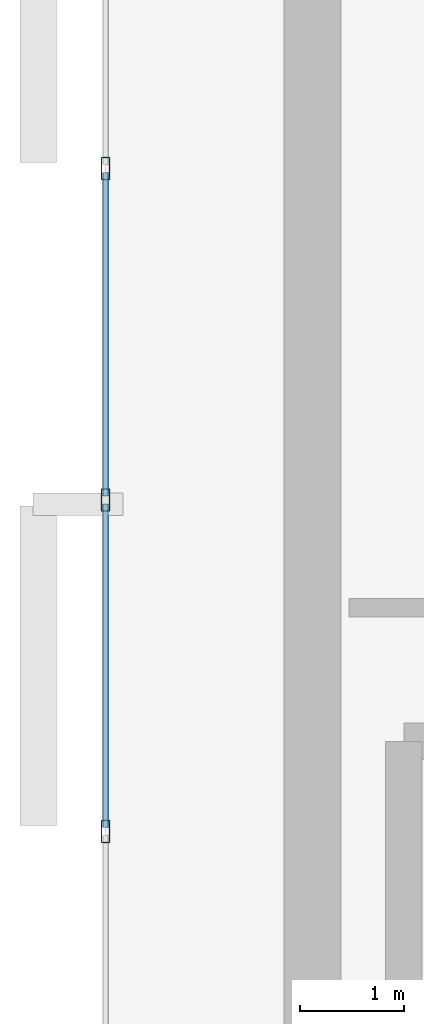
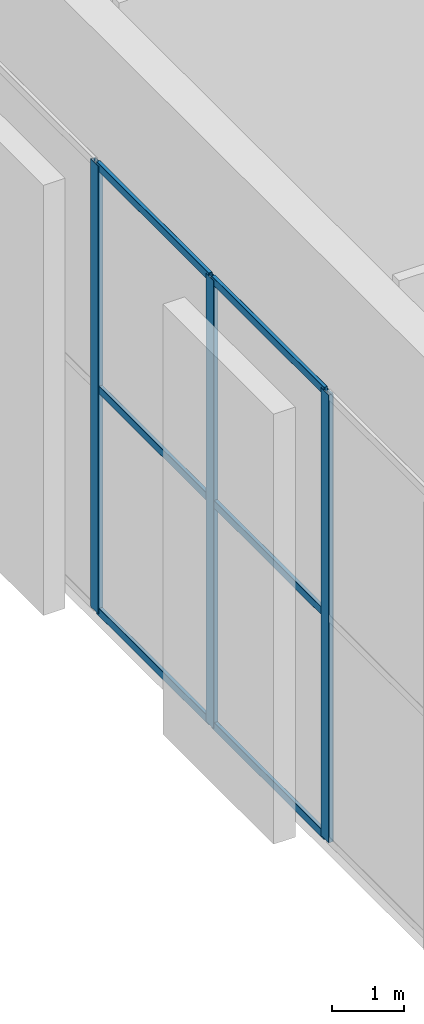
# One storey, part 3 of 22: 9 members, 1 element without a shape of its own.
"""IFC4 building model written with IfcOpenShell, lengths in metres."""

from ifc_helpers import new_model, si_unit, direction, frame, origin, origin_2d, place, context, subcontext, project, spatial, hollow_rectangle, extrude, material, layer, layer_set, material_profile, profile_set, type_object, element, aggregate, save


model = new_model("IFC4")

# Units and contexts
model_context = context("Model", 3, precision=1e-05, world=origin(), true_north=direction((0.0, 1.0)))
body_context = subcontext(model_context, "Body", "Model", "MODEL_VIEW")
ifc_project = project(units=[si_unit("LENGTHUNIT", "METRE"), si_unit("AREAUNIT", "SQUARE_METRE"), si_unit("VOLUMEUNIT", "CUBIC_METRE"), si_unit("PLANEANGLEUNIT", "RADIAN"), si_unit("MASSUNIT", "GRAM", prefix="KILO")], contexts=[model_context])

# Site, building, storey
site_placement = place(None, origin())
site = spatial("IfcSite", under=ifc_project, at=site_placement, CompositionType="ELEMENT")
building_placement = place(site_placement, origin())
building = spatial("IfcBuilding", under=site, at=building_placement, Name="An Khanh Terracotta Commons", CompositionType="ELEMENT")
storey_placement = place(building_placement, frame((0.0, 0.0, 300.39990234375)))
storey = spatial("IfcBuildingStorey", under=building, at=storey_placement, Name="L78 Crown Damper Chamber", CompositionType="ELEMENT", Elevation=300.39990234375)

# Curtain wall, members
ifc_material = material(Name="Anodised Aluminium 6063-T6", Category="aluminium")
ifc_layer = layer(ifc_material, 0.25, Name="Anodised Aluminium 6063-T6")
ifc_layer_set = layer_set([ifc_layer], Name="Anodised Aluminium 6063-T6")
curtain_wall_type = type_object("IfcCurtainWallType", Name="CW-SYS-05", PredefinedType="USERDEFINED", material=ifc_layer_set)
curtain_wall_placement = place(storey_placement, origin())
curtain_wall = element("IfcCurtainWall", 1, at=curtain_wall_placement, inside=storey, type_object=curtain_wall_type, Name="L78 Crown Damper Chamber CW-05 Unitised Curtain Wall CW-L78-24", ObjectType="UNITISED CURTAIN WALL", PredefinedType="USERDEFINED")
ifc_material_profile_1 = material_profile(ifc_material, hollow_rectangle(XDim=0.080078125, YDim=0.219970703125, WallThickness=0.0048828125, InnerFilletRadius=0.0048828125, OuterFilletRadius=0.010009765625, at=origin_2d()), Name="RHS220x80x5")
ifc_profile_set_1 = profile_set([ifc_material_profile_1], Name="Anodised Aluminium 6063-T6")
member_type_1 = type_object("IfcMemberType", Name="CWM-RHS220x80x5", PredefinedType="MULLION", material=ifc_profile_set_1)
member_1_placement = place(storey_placement, frame((19.60009765625, 24.0, 0.0), z_axis=(0.0, 0.0, 1.0), x_axis=(1.0, 0.0, 0.0)))
member_1 = element("IfcMember", 2, at=member_1_placement, type_object=member_type_1, Name="CW-05 mullion 4", PredefinedType="MULLION", context=body_context, shape_type="SweptSolid", body=[
    extrude(hollow_rectangle(XDim=0.080078125, YDim=0.219970703125, WallThickness=0.0048828125, InnerFilletRadius=0.0048828125, OuterFilletRadius=0.010009765625, at=origin_2d()), origin(), (0.0, 0.0, 1.0), 7.60009765625),
])
member_2_placement = place(storey_placement, frame((19.60009765625, 20.800048828125, 0.0), z_axis=(0.0, 0.0, 1.0), x_axis=(1.0, 0.0, 0.0)))
member_2 = element("IfcMember", 3, at=member_2_placement, type_object=member_type_1, Name="CW-05 mullion 5", PredefinedType="MULLION", context=body_context, shape_type="SweptSolid", body=[
    extrude(hollow_rectangle(XDim=0.080078125, YDim=0.219970703125, WallThickness=0.0048828125, InnerFilletRadius=0.0048828125, OuterFilletRadius=0.010009765625, at=origin_2d()), origin(), (0.0, 0.0, 1.0), 7.60009765625),
])
member_3_placement = place(storey_placement, frame((19.60009765625, 17.60009765625, 0.0), z_axis=(0.0, 0.0, 1.0), x_axis=(1.0, 0.0, 0.0)))
member_3 = element("IfcMember", 4, at=member_3_placement, type_object=member_type_1, Name="CW-05 mullion 6", PredefinedType="MULLION", context=body_context, shape_type="SweptSolid", body=[
    extrude(hollow_rectangle(XDim=0.080078125, YDim=0.219970703125, WallThickness=0.0048828125, InnerFilletRadius=0.0048828125, OuterFilletRadius=0.010009765625, at=origin_2d()), origin(), (0.0, 0.0, 1.0), 7.60009765625),
])
ifc_material_profile_2 = material_profile(ifc_material, hollow_rectangle(XDim=0.06005859375, YDim=0.135009765625, WallThickness=0.003662109375, InnerFilletRadius=0.003662109375, OuterFilletRadius=0.007080078125, at=origin_2d()), Name="RHS135x60x3.6")
ifc_profile_set_2 = profile_set([ifc_material_profile_2], Name="Anodised Aluminium 6063-T6")
member_type_2 = type_object("IfcMemberType", Name="CWT-RHS135x60x3.6", PredefinedType="USERDEFINED", material=ifc_profile_set_2)
member_4_placement = place(storey_placement, frame((19.60009765625, 23.9599609375, 0.030029296875), z_axis=(0.0, -1.0, 0.0), x_axis=(1.0, 0.0, 0.0)))
member_4 = element("IfcMember", 5, at=member_4_placement, type_object=member_type_2, Name="CW-05 transom 4.1", ObjectType="TRANSOM", PredefinedType="USERDEFINED", context=body_context, shape_type="SweptSolid", body=[
    extrude(hollow_rectangle(XDim=0.06005859375, YDim=0.135009765625, WallThickness=0.003662109375, InnerFilletRadius=0.003662109375, OuterFilletRadius=0.007080078125, at=origin_2d()), origin(), (0.0, 0.0, 1.0), 3.119873046875),
])
member_5_placement = place(storey_placement, frame((19.60009765625, 23.9599609375, 3.800048828125), z_axis=(0.0, -1.0, 0.0), x_axis=(1.0, 0.0, 0.0)))
member_5 = element("IfcMember", 6, at=member_5_placement, type_object=member_type_2, Name="CW-05 transom 4.2", ObjectType="TRANSOM", PredefinedType="USERDEFINED", context=body_context, shape_type="SweptSolid", body=[
    extrude(hollow_rectangle(XDim=0.06005859375, YDim=0.135009765625, WallThickness=0.003662109375, InnerFilletRadius=0.003662109375, OuterFilletRadius=0.007080078125, at=origin_2d()), origin(), (0.0, 0.0, 1.0), 3.119873046875),
])
member_6_placement = place(storey_placement, frame((19.60009765625, 23.9599609375, 7.570068359375), z_axis=(0.0, -1.0, 0.0), x_axis=(1.0, 0.0, 0.0)))
member_6 = element("IfcMember", 7, at=member_6_placement, type_object=member_type_2, Name="CW-05 transom 4.3", ObjectType="TRANSOM", PredefinedType="USERDEFINED", context=body_context, shape_type="SweptSolid", body=[
    extrude(hollow_rectangle(XDim=0.06005859375, YDim=0.135009765625, WallThickness=0.003662109375, InnerFilletRadius=0.003662109375, OuterFilletRadius=0.007080078125, at=origin_2d()), origin(), (0.0, 0.0, 1.0), 3.119873046875),
])
member_7_placement = place(storey_placement, frame((19.60009765625, 20.760009765625, 0.030029296875), z_axis=(0.0, -1.0, 0.0), x_axis=(1.0, 0.0, 0.0)))
member_7 = element("IfcMember", 8, at=member_7_placement, type_object=member_type_2, Name="CW-05 transom 5.1", ObjectType="TRANSOM", PredefinedType="USERDEFINED", context=body_context, shape_type="SweptSolid", body=[
    extrude(hollow_rectangle(XDim=0.06005859375, YDim=0.135009765625, WallThickness=0.003662109375, InnerFilletRadius=0.003662109375, OuterFilletRadius=0.007080078125, at=origin_2d()), origin(), (0.0, 0.0, 1.0), 3.1201171875),
])
member_8_placement = place(storey_placement, frame((19.60009765625, 20.760009765625, 3.800048828125), z_axis=(0.0, -1.0, 0.0), x_axis=(1.0, 0.0, 0.0)))
member_8 = element("IfcMember", 9, at=member_8_placement, type_object=member_type_2, Name="CW-05 transom 5.2", ObjectType="TRANSOM", PredefinedType="USERDEFINED", context=body_context, shape_type="SweptSolid", body=[
    extrude(hollow_rectangle(XDim=0.06005859375, YDim=0.135009765625, WallThickness=0.003662109375, InnerFilletRadius=0.003662109375, OuterFilletRadius=0.007080078125, at=origin_2d()), origin(), (0.0, 0.0, 1.0), 3.1201171875),
])
member_9_placement = place(storey_placement, frame((19.60009765625, 20.760009765625, 7.570068359375), z_axis=(0.0, -1.0, 0.0), x_axis=(1.0, 0.0, 0.0)))
member_9 = element("IfcMember", 10, at=member_9_placement, type_object=member_type_2, Name="CW-05 transom 5.3", ObjectType="TRANSOM", PredefinedType="USERDEFINED", context=body_context, shape_type="SweptSolid", body=[
    extrude(hollow_rectangle(XDim=0.06005859375, YDim=0.135009765625, WallThickness=0.003662109375, InnerFilletRadius=0.003662109375, OuterFilletRadius=0.007080078125, at=origin_2d()), origin(), (0.0, 0.0, 1.0), 3.1201171875),
])
aggregate(curtain_wall, [member_1, member_2, member_3, member_4, member_5, member_6, member_7, member_8, member_9])

save(model, "model.ifc")
